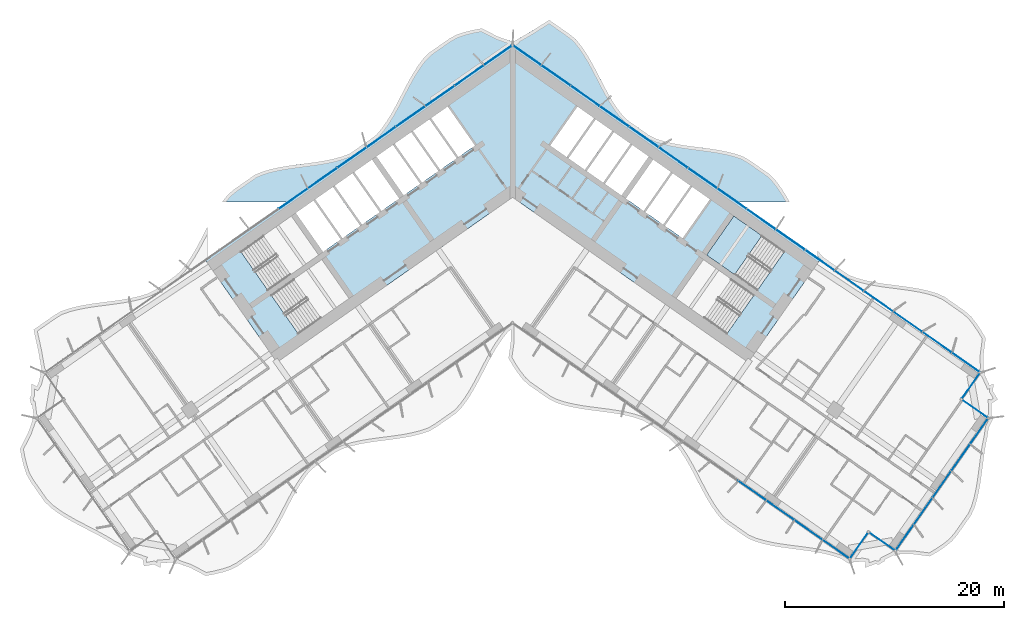
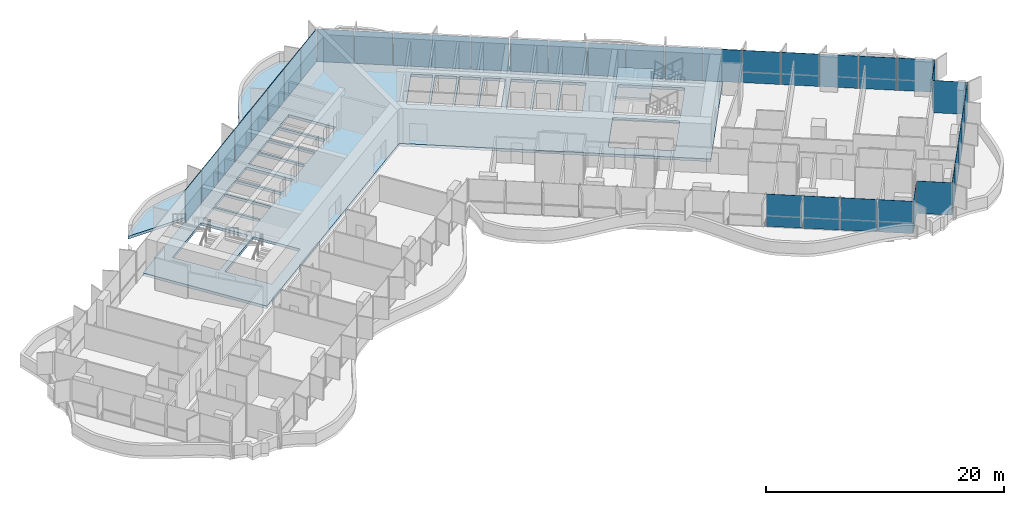
# One storey, part 12 of 24: 37 plates, 3 slabs, 3 elements without a shape of their own.
"""IFC4 building model written with IfcOpenShell, lengths in metres."""

from ifc_helpers import new_model, si_unit, direction, frame, origin, origin_2d, place, context, subcontext, project, spatial, polyline, rectangle, outline, extrude, material, layer, layer_set, type_object, element, aggregate, save


model = new_model("IFC4")

# Units and contexts
model_context = context("Model", 3, precision=1e-05, world=origin(), true_north=direction((0.0, 1.0)))
body_context = subcontext(model_context, "Body", "Model", "MODEL_VIEW")
ifc_project = project(units=[si_unit("LENGTHUNIT", "METRE"), si_unit("AREAUNIT", "SQUARE_METRE"), si_unit("VOLUMEUNIT", "CUBIC_METRE"), si_unit("PLANEANGLEUNIT", "RADIAN"), si_unit("MASSUNIT", "GRAM", prefix="KILO")], contexts=[model_context])

# Site, building, storey
site_placement = place(None, origin())
site = spatial("IfcSite", under=ifc_project, at=site_placement, CompositionType="ELEMENT")
building_placement = place(site_placement, origin())
building = spatial("IfcBuilding", under=site, at=building_placement, Name="Tel Ilan Convention Tower", CompositionType="ELEMENT")
storey_placement = place(building_placement, frame((0.0, 0.0, 68.89990234375)))
storey = spatial("IfcBuildingStorey", under=building, at=storey_placement, Name="L12", CompositionType="ELEMENT", Elevation=68.89990234375)

# Curtain wall, plates
ifc_material_1 = material(Name="Aluminium, bronze anodised", Category="aluminium")
curtain_wall_type_1 = type_object("IfcCurtainWallType", Name="CW1 UNITISED CURTAIN WALL, HOTEL TINTED GLASS", PredefinedType="NOTDEFINED", material=ifc_material_1)
curtain_wall_1_placement = place(storey_placement, origin())
curtain_wall_1 = element("IfcCurtainWall", 1, at=curtain_wall_1_placement, inside=storey, type_object=curtain_wall_type_1, Name="Curtain wall CW1-12.02", PredefinedType="NOTDEFINED")
ifc_material_2 = material(Name="Glass, bronze tinted, two-ply unitised", Category="glass")
ifc_layer_1 = layer(ifc_material_2, 0.028076171875)
ifc_layer_set_1 = layer_set([ifc_layer_1], Name="CW HOTEL GLASS PANEL 28")
plate_type_1 = type_object("IfcPlateType", Name="CW HOTEL GLASS PANEL 28", PredefinedType="CURTAIN_PANEL", material=ifc_layer_set_1)
plate_1_placement = place(storey_placement, frame((21.90185546875, -28.031982421875, 0.0), z_axis=(0.0, 0.0, 1.0), x_axis=(0.819152044289, -0.573576436351, 0.0)))
plate_1 = element("IfcPlate", 2, at=plate_1_placement, type_object=plate_type_1, Name="Glass panel", PredefinedType="CURTAIN_PANEL", context=body_context, shape_type="SweptSolid", body=[
    extrude(rectangle(XDim=3.077392578125, YDim=0.028076171875, at=origin_2d()), origin(), (0.0, 0.0, 1.0), 3.320068359375),
])
plate_2_placement = place(storey_placement, frame((24.4716796875, -29.831298828125, 0.0), z_axis=(0.0, 0.0, 1.0), x_axis=(0.819152044289, -0.573576436351, 0.0)))
plate_2 = element("IfcPlate", 3, at=plate_2_placement, type_object=plate_type_1, Name="Glass panel", PredefinedType="CURTAIN_PANEL", context=body_context, shape_type="SweptSolid", body=[
    extrude(rectangle(XDim=3.077392578125, YDim=0.028076171875, at=origin_2d()), origin(), (0.0, 0.0, 1.0), 3.320068359375),
])
plate_3_placement = place(storey_placement, frame((27.041748046875, -31.630859375, 0.0), z_axis=(0.0, 0.0, 1.0), x_axis=(0.819152044289, -0.573576436351, 0.0)))
plate_3 = element("IfcPlate", 4, at=plate_3_placement, type_object=plate_type_1, Name="Glass panel", PredefinedType="CURTAIN_PANEL", context=body_context, shape_type="SweptSolid", body=[
    extrude(rectangle(XDim=3.077392578125, YDim=0.028076171875, at=origin_2d()), origin(), (0.0, 0.0, 1.0), 3.320068359375),
])
plate_4_placement = place(storey_placement, frame((29.5732421875, -33.4033203125, 0.0), z_axis=(0.0, 0.0, 1.0), x_axis=(0.819152044289, -0.573576436351, 0.0)))
plate_4 = element("IfcPlate", 5, at=plate_4_placement, type_object=plate_type_1, Name="Glass panel", PredefinedType="CURTAIN_PANEL", context=body_context, shape_type="SweptSolid", body=[
    extrude(rectangle(XDim=2.9833984375, YDim=0.028076171875, at=origin_2d()), origin(), (0.0, 0.0, 1.0), 3.320068359375),
])
plate_5_placement = place(storey_placement, frame((31.653076171875, -33.07568359375, 0.0), z_axis=(0.0, 0.0, 1.0), x_axis=(0.573576436351, 0.819152044289, 0.0)))
plate_5 = element("IfcPlate", 6, at=plate_5_placement, type_object=plate_type_1, Name="Glass panel", PredefinedType="CURTAIN_PANEL", context=body_context, shape_type="SweptSolid", body=[
    extrude(rectangle(XDim=2.875, YDim=0.028076171875, at=origin_2d()), origin(), (0.0, 0.0, 1.0), 3.320068359375),
])
plate_6_placement = place(storey_placement, frame((33.795654296875, -32.69775390625, 0.0), z_axis=(0.0, 0.0, 1.0), x_axis=(0.819152044289, -0.573576436351, 0.0)))
plate_6 = element("IfcPlate", 7, at=plate_6_placement, type_object=plate_type_1, Name="Glass panel", PredefinedType="CURTAIN_PANEL", context=body_context, shape_type="SweptSolid", body=[
    extrude(rectangle(XDim=2.875, YDim=0.028076171875, at=origin_2d()), origin(), (0.0, 0.0, 1.0), 3.320068359375),
])
plate_7_placement = place(storey_placement, frame((35.822998046875, -32.350830078125, 0.0), z_axis=(0.0, 0.0, 1.0), x_axis=(0.573576436351, 0.819152044289, 0.0)))
plate_7 = element("IfcPlate", 8, at=plate_7_placement, type_object=plate_type_1, Name="Glass panel", PredefinedType="CURTAIN_PANEL", context=body_context, shape_type="SweptSolid", body=[
    extrude(rectangle(XDim=2.845947265625, YDim=0.028076171875, at=origin_2d()), origin(), (0.0, 0.0, 1.0), 3.320068359375),
])
plate_8_placement = place(storey_placement, frame((37.5166015625, -29.931884765625, 0.0), z_axis=(0.0, 0.0, 1.0), x_axis=(0.573576436351, 0.819152044289, 0.0)))
plate_8 = element("IfcPlate", 9, at=plate_8_placement, type_object=plate_type_1, Name="Glass panel", PredefinedType="CURTAIN_PANEL", context=body_context, shape_type="SweptSolid", body=[
    extrude(rectangle(XDim=2.93994140625, YDim=0.028076171875, at=origin_2d()), origin(), (0.0, 0.0, 1.0), 3.320068359375),
])
plate_9_placement = place(storey_placement, frame((39.2373046875, -27.474365234375, 0.0), z_axis=(0.0, 0.0, 1.0), x_axis=(0.573576436351, 0.819152044289, 0.0)))
plate_9 = element("IfcPlate", 10, at=plate_9_placement, type_object=plate_type_1, Name="Glass panel", PredefinedType="CURTAIN_PANEL", context=body_context, shape_type="SweptSolid", body=[
    extrude(rectangle(XDim=2.93994140625, YDim=0.028076171875, at=origin_2d()), origin(), (0.0, 0.0, 1.0), 3.320068359375),
])
plate_10_placement = place(storey_placement, frame((40.9580078125, -25.016845703125, 0.0), z_axis=(0.0, 0.0, 1.0), x_axis=(0.573576436351, 0.819152044289, 0.0)))
plate_10 = element("IfcPlate", 11, at=plate_10_placement, type_object=plate_type_1, Name="Glass panel", PredefinedType="CURTAIN_PANEL", context=body_context, shape_type="SweptSolid", body=[
    extrude(rectangle(XDim=2.93994140625, YDim=0.028076171875, at=origin_2d()), origin(), (0.0, 0.0, 1.0), 3.320068359375),
])
plate_11_placement = place(storey_placement, frame((42.65185546875, -22.597900390625, 0.0), z_axis=(0.0, 0.0, 1.0), x_axis=(0.573576436351, 0.819152044289, 0.0)))
plate_11 = element("IfcPlate", 12, at=plate_11_placement, type_object=plate_type_1, Name="Glass panel", PredefinedType="CURTAIN_PANEL", context=body_context, shape_type="SweptSolid", body=[
    extrude(rectangle(XDim=2.845947265625, YDim=0.028076171875, at=origin_2d()), origin(), (0.0, 0.0, 1.0), 3.320068359375),
])
plate_12_placement = place(storey_placement, frame((42.28466796875, -20.57421875, 0.0), z_axis=(0.0, 0.0, 1.0), x_axis=(-0.819152044289, 0.573576436351, 0.0)))
plate_12 = element("IfcPlate", 13, at=plate_12_placement, type_object=plate_type_1, Name="Glass panel", PredefinedType="CURTAIN_PANEL", context=body_context, shape_type="SweptSolid", body=[
    extrude(rectangle(XDim=2.875, YDim=0.028076171875, at=origin_2d()), origin(), (0.0, 0.0, 1.0), 3.320068359375),
])
plate_13_placement = place(storey_placement, frame((41.90673828125, -18.431640625, 0.0), z_axis=(0.0, 0.0, 1.0), x_axis=(0.573576436351, 0.819152044289, 0.0)))
plate_13 = element("IfcPlate", 14, at=plate_13_placement, type_object=plate_type_1, Name="Glass panel", PredefinedType="CURTAIN_PANEL", context=body_context, shape_type="SweptSolid", body=[
    extrude(rectangle(XDim=2.875, YDim=0.028076171875, at=origin_2d()), origin(), (0.0, 0.0, 1.0), 3.320068359375),
])
plate_14_placement = place(storey_placement, frame((41.448486328125, -16.326416015625, 0.0), z_axis=(0.0, 0.0, 1.0), x_axis=(-0.819152044289, 0.573576436351, 0.0)))
plate_14 = element("IfcPlate", 15, at=plate_14_placement, type_object=plate_type_1, Name="Glass panel", PredefinedType="CURTAIN_PANEL", context=body_context, shape_type="SweptSolid", body=[
    extrude(rectangle(XDim=3.117919921875, YDim=0.028076171875, at=origin_2d()), origin(), (0.0, 0.0, 1.0), 3.320068359375),
])
plate_15_placement = place(storey_placement, frame((38.806640625, -14.4765625, 0.0), z_axis=(0.0, 0.0, 1.0), x_axis=(-0.819152044289, 0.573576436351, 0.0)))
plate_15 = element("IfcPlate", 16, at=plate_15_placement, type_object=plate_type_1, Name="Glass panel", PredefinedType="CURTAIN_PANEL", context=body_context, shape_type="SweptSolid", body=[
    extrude(rectangle(XDim=3.2119140625, YDim=0.028076171875, at=origin_2d()), origin(), (0.0, 0.0, 1.0), 3.320068359375),
])
plate_16_placement = place(storey_placement, frame((36.12646484375, -12.599853515625, 0.0), z_axis=(0.0, 0.0, 1.0), x_axis=(-0.819152044289, 0.573576436351, 0.0)))
plate_16 = element("IfcPlate", 17, at=plate_16_placement, type_object=plate_type_1, Name="Glass panel", PredefinedType="CURTAIN_PANEL", context=body_context, shape_type="SweptSolid", body=[
    extrude(rectangle(XDim=3.2119140625, YDim=0.028076171875, at=origin_2d()), origin(), (0.0, 0.0, 1.0), 3.320068359375),
])
plate_17_placement = place(storey_placement, frame((33.446044921875, -10.72314453125, 0.0), z_axis=(0.0, 0.0, 1.0), x_axis=(-0.819152044289, 0.573576436351, 0.0)))
plate_17 = element("IfcPlate", 18, at=plate_17_placement, type_object=plate_type_1, Name="Glass panel", PredefinedType="CURTAIN_PANEL", context=body_context, shape_type="SweptSolid", body=[
    extrude(rectangle(XDim=3.2119140625, YDim=0.028076171875, at=origin_2d()), origin(), (0.0, 0.0, 1.0), 3.320068359375),
])
plate_18_placement = place(storey_placement, frame((30.765869140625, -8.846435546875, 0.0), z_axis=(0.0, 0.0, 1.0), x_axis=(-0.819152044289, 0.573576436351, 0.0)))
plate_18 = element("IfcPlate", 19, at=plate_18_placement, type_object=plate_type_1, Name="Glass panel", PredefinedType="CURTAIN_PANEL", context=body_context, shape_type="SweptSolid", body=[
    extrude(rectangle(XDim=3.2119140625, YDim=0.028076171875, at=origin_2d()), origin(), (0.0, 0.0, 1.0), 3.320068359375),
])
aggregate(curtain_wall_1, [plate_1, plate_2, plate_3, plate_4, plate_5, plate_6, plate_7, plate_8, plate_9, plate_10, plate_11, plate_12, plate_13, plate_14, plate_15, plate_16, plate_17, plate_18])

ifc_material_3 = material(Name="Aluminium, bronze anodised", Category="aluminium")
curtain_wall_type_2 = type_object("IfcCurtainWallType", Name="CW2 STICK CURTAIN WALL, SPANDREL PANELS", PredefinedType="NOTDEFINED", material=ifc_material_3)
curtain_wall_2_placement = place(storey_placement, origin())
curtain_wall_2 = element("IfcCurtainWall", 20, at=curtain_wall_2_placement, inside=storey, type_object=curtain_wall_type_2, Name="Curtain wall CW2-12.01", PredefinedType="NOTDEFINED")
ifc_material_4 = material(Name="Aluminium composite panel, bronze anodised", Category="aluminium")
ifc_layer_2 = layer(ifc_material_4, 0.06005859375)
ifc_layer_set_2 = layer_set([ifc_layer_2], Name="CW SPANDREL PANEL 60")
plate_type_2 = type_object("IfcPlateType", Name="CW SPANDREL PANEL 60", PredefinedType="CURTAIN_PANEL", material=ifc_layer_set_2)
plate_19_placement = place(storey_placement, frame((28.08544921875, -6.9697265625, 0.0), z_axis=(0.0, 0.0, 1.0), x_axis=(-0.819152044289, 0.573576436351, 0.0)))
plate_19 = element("IfcPlate", 21, at=plate_19_placement, type_object=plate_type_2, Name="Spandrel panel", PredefinedType="CURTAIN_PANEL", context=body_context, shape_type="SweptSolid", body=[
    extrude(rectangle(XDim=3.2119140625, YDim=0.06005859375, at=origin_2d()), origin(), (0.0, 0.0, 1.0), 3.320068359375),
])
plate_20_placement = place(storey_placement, frame((25.4052734375, -5.0927734375, 0.0), z_axis=(0.0, 0.0, 1.0), x_axis=(-0.819152044289, 0.573576436351, 0.0)))
plate_20 = element("IfcPlate", 22, at=plate_20_placement, type_object=plate_type_2, Name="Spandrel panel", PredefinedType="CURTAIN_PANEL", context=body_context, shape_type="SweptSolid", body=[
    extrude(rectangle(XDim=3.2119140625, YDim=0.06005859375, at=origin_2d()), origin(), (0.0, 0.0, 1.0), 3.320068359375),
])
plate_21_placement = place(storey_placement, frame((22.72509765625, -3.216064453125, 0.0), z_axis=(0.0, 0.0, 1.0), x_axis=(-0.819152044289, 0.573576436351, 0.0)))
plate_21 = element("IfcPlate", 23, at=plate_21_placement, type_object=plate_type_2, Name="Spandrel panel", PredefinedType="CURTAIN_PANEL", context=body_context, shape_type="SweptSolid", body=[
    extrude(rectangle(XDim=3.2119140625, YDim=0.06005859375, at=origin_2d()), origin(), (0.0, 0.0, 1.0), 3.320068359375),
])
plate_22_placement = place(storey_placement, frame((20.044677734375, -1.33935546875, 0.0), z_axis=(0.0, 0.0, 1.0), x_axis=(-0.819152044289, 0.573576436351, 0.0)))
plate_22 = element("IfcPlate", 24, at=plate_22_placement, type_object=plate_type_2, Name="Spandrel panel", PredefinedType="CURTAIN_PANEL", context=body_context, shape_type="SweptSolid", body=[
    extrude(rectangle(XDim=3.2119140625, YDim=0.06005859375, at=origin_2d()), origin(), (0.0, 0.0, 1.0), 3.320068359375),
])
plate_23_placement = place(storey_placement, frame((17.364501953125, 0.537353515625, 0.0), z_axis=(0.0, 0.0, 1.0), x_axis=(-0.819152044289, 0.573576436351, 0.0)))
plate_23 = element("IfcPlate", 25, at=plate_23_placement, type_object=plate_type_2, Name="Spandrel panel", PredefinedType="CURTAIN_PANEL", context=body_context, shape_type="SweptSolid", body=[
    extrude(rectangle(XDim=3.2119140625, YDim=0.06005859375, at=origin_2d()), origin(), (0.0, 0.0, 1.0), 3.320068359375),
])
plate_24_placement = place(storey_placement, frame((14.68408203125, 2.4140625, 0.0), z_axis=(0.0, 0.0, 1.0), x_axis=(-0.819152044289, 0.573576436351, 0.0)))
plate_24 = element("IfcPlate", 26, at=plate_24_placement, type_object=plate_type_2, Name="Spandrel panel", PredefinedType="CURTAIN_PANEL", context=body_context, shape_type="SweptSolid", body=[
    extrude(rectangle(XDim=3.2119140625, YDim=0.06005859375, at=origin_2d()), origin(), (0.0, 0.0, 1.0), 3.320068359375),
])
plate_25_placement = place(storey_placement, frame((12.00390625, 4.290771484375, 0.0), z_axis=(0.0, 0.0, 1.0), x_axis=(-0.819152044289, 0.573576436351, 0.0)))
plate_25 = element("IfcPlate", 27, at=plate_25_placement, type_object=plate_type_2, Name="Spandrel panel", PredefinedType="CURTAIN_PANEL", context=body_context, shape_type="SweptSolid", body=[
    extrude(rectangle(XDim=3.2119140625, YDim=0.06005859375, at=origin_2d()), origin(), (0.0, 0.0, 1.0), 3.320068359375),
])
plate_26_placement = place(storey_placement, frame((9.323486328125, 6.16748046875, 0.0), z_axis=(0.0, 0.0, 1.0), x_axis=(-0.819152044289, 0.573576436351, 0.0)))
plate_26 = element("IfcPlate", 28, at=plate_26_placement, type_object=plate_type_2, Name="Spandrel panel", PredefinedType="CURTAIN_PANEL", context=body_context, shape_type="SweptSolid", body=[
    extrude(rectangle(XDim=3.2119140625, YDim=0.06005859375, at=origin_2d()), origin(), (0.0, 0.0, 1.0), 3.320068359375),
])
plate_27_placement = place(storey_placement, frame((6.643310546875, 8.04443359375, 0.0), z_axis=(0.0, 0.0, 1.0), x_axis=(-0.819152044289, 0.573576436351, 0.0)))
plate_27 = element("IfcPlate", 29, at=plate_27_placement, type_object=plate_type_2, Name="Spandrel panel", PredefinedType="CURTAIN_PANEL", context=body_context, shape_type="SweptSolid", body=[
    extrude(rectangle(XDim=3.2119140625, YDim=0.06005859375, at=origin_2d()), origin(), (0.0, 0.0, 1.0), 3.320068359375),
])
plate_28_placement = place(storey_placement, frame((3.963134765625, 9.921142578125, 0.0), z_axis=(0.0, 0.0, 1.0), x_axis=(-0.819152044289, 0.573576436351, 0.0)))
plate_28 = element("IfcPlate", 30, at=plate_28_placement, type_object=plate_type_2, Name="Spandrel panel", PredefinedType="CURTAIN_PANEL", context=body_context, shape_type="SweptSolid", body=[
    extrude(rectangle(XDim=3.2119140625, YDim=0.06005859375, at=origin_2d()), origin(), (0.0, 0.0, 1.0), 3.320068359375),
])
plate_29_placement = place(storey_placement, frame((1.327880859375, 11.766357421875, 0.0), z_axis=(0.0, 0.0, 1.0), x_axis=(-0.819152044289, 0.573576436351, 0.0)))
plate_29 = element("IfcPlate", 31, at=plate_29_placement, type_object=plate_type_2, Name="Spandrel panel", PredefinedType="CURTAIN_PANEL", context=body_context, shape_type="SweptSolid", body=[
    extrude(rectangle(XDim=3.10205078125, YDim=0.06005859375, at=origin_2d()), origin(), (0.0, 0.0, 1.0), 3.320068359375),
])
plate_30_placement = place(storey_placement, frame((-1.327880859375, 11.766357421875, 0.0), z_axis=(0.0, 0.0, 1.0), x_axis=(-0.819152044289, -0.573576436351, 0.0)))
plate_30 = element("IfcPlate", 32, at=plate_30_placement, type_object=plate_type_2, Name="Spandrel panel", PredefinedType="CURTAIN_PANEL", context=body_context, shape_type="SweptSolid", body=[
    extrude(rectangle(XDim=3.10205078125, YDim=0.06005859375, at=origin_2d()), origin(), (0.0, 0.0, 1.0), 3.320068359375),
])
plate_31_placement = place(storey_placement, frame((-3.963134765625, 9.921142578125, 0.0), z_axis=(0.0, 0.0, 1.0), x_axis=(-0.819152044289, -0.573576436351, 0.0)))
plate_31 = element("IfcPlate", 33, at=plate_31_placement, type_object=plate_type_2, Name="Spandrel panel", PredefinedType="CURTAIN_PANEL", context=body_context, shape_type="SweptSolid", body=[
    extrude(rectangle(XDim=3.2119140625, YDim=0.06005859375, at=origin_2d()), origin(), (0.0, 0.0, 1.0), 3.320068359375),
])
plate_32_placement = place(storey_placement, frame((-6.643310546875, 8.04443359375, 0.0), z_axis=(0.0, 0.0, 1.0), x_axis=(-0.819152044289, -0.573576436351, 0.0)))
plate_32 = element("IfcPlate", 34, at=plate_32_placement, type_object=plate_type_2, Name="Spandrel panel", PredefinedType="CURTAIN_PANEL", context=body_context, shape_type="SweptSolid", body=[
    extrude(rectangle(XDim=3.2119140625, YDim=0.06005859375, at=origin_2d()), origin(), (0.0, 0.0, 1.0), 3.320068359375),
])
plate_33_placement = place(storey_placement, frame((-9.323486328125, 6.16748046875, 0.0), z_axis=(0.0, 0.0, 1.0), x_axis=(-0.819152044289, -0.573576436351, 0.0)))
plate_33 = element("IfcPlate", 35, at=plate_33_placement, type_object=plate_type_2, Name="Spandrel panel", PredefinedType="CURTAIN_PANEL", context=body_context, shape_type="SweptSolid", body=[
    extrude(rectangle(XDim=3.2119140625, YDim=0.06005859375, at=origin_2d()), origin(), (0.0, 0.0, 1.0), 3.320068359375),
])
plate_34_placement = place(storey_placement, frame((-12.00390625, 4.290771484375, 0.0), z_axis=(0.0, 0.0, 1.0), x_axis=(-0.819152044289, -0.573576436351, 0.0)))
plate_34 = element("IfcPlate", 36, at=plate_34_placement, type_object=plate_type_2, Name="Spandrel panel", PredefinedType="CURTAIN_PANEL", context=body_context, shape_type="SweptSolid", body=[
    extrude(rectangle(XDim=3.2119140625, YDim=0.06005859375, at=origin_2d()), origin(), (0.0, 0.0, 1.0), 3.320068359375),
])
plate_35_placement = place(storey_placement, frame((-14.68408203125, 2.4140625, 0.0), z_axis=(0.0, 0.0, 1.0), x_axis=(-0.819152044289, -0.573576436351, 0.0)))
plate_35 = element("IfcPlate", 37, at=plate_35_placement, type_object=plate_type_2, Name="Spandrel panel", PredefinedType="CURTAIN_PANEL", context=body_context, shape_type="SweptSolid", body=[
    extrude(rectangle(XDim=3.2119140625, YDim=0.06005859375, at=origin_2d()), origin(), (0.0, 0.0, 1.0), 3.320068359375),
])
plate_36_placement = place(storey_placement, frame((-17.364501953125, 0.537353515625, 0.0), z_axis=(0.0, 0.0, 1.0), x_axis=(-0.819152044289, -0.573576436351, 0.0)))
plate_36 = element("IfcPlate", 38, at=plate_36_placement, type_object=plate_type_2, Name="Spandrel panel", PredefinedType="CURTAIN_PANEL", context=body_context, shape_type="SweptSolid", body=[
    extrude(rectangle(XDim=3.2119140625, YDim=0.06005859375, at=origin_2d()), origin(), (0.0, 0.0, 1.0), 3.320068359375),
])
plate_37_placement = place(storey_placement, frame((-20.044677734375, -1.33935546875, 0.0), z_axis=(0.0, 0.0, 1.0), x_axis=(-0.819152044289, -0.573576436351, 0.0)))
plate_37 = element("IfcPlate", 39, at=plate_37_placement, type_object=plate_type_2, Name="Spandrel panel", PredefinedType="CURTAIN_PANEL", context=body_context, shape_type="SweptSolid", body=[
    extrude(rectangle(XDim=3.2119140625, YDim=0.06005859375, at=origin_2d()), origin(), (0.0, 0.0, 1.0), 3.320068359375),
])
aggregate(curtain_wall_2, [plate_19, plate_20, plate_21, plate_22, plate_23, plate_24, plate_25, plate_26, plate_27, plate_28, plate_29, plate_30, plate_31, plate_32, plate_33, plate_34, plate_35, plate_36, plate_37])

# Stair, slab
ifc_material_5 = material(Name="Concrete C40/50", Category="concrete")
stair_type = type_object("IfcStairType", Name="Pressurised Exit Stair 20 risers 180 mm", PredefinedType="HALF_TURN_STAIR", material=ifc_material_5)
stair_placement = place(storey_placement, origin())
stair = element("IfcStair", 40, at=stair_placement, inside=storey, type_object=stair_type, Name="L12 Pressurised Stair S3", PredefinedType="HALF_TURN_STAIR")
ifc_material_6 = material(Name="Concrete C40/50", Category="concrete")
ifc_layer_3 = layer(ifc_material_6, 0.199951171875)
ifc_layer_set_3 = layer_set([ifc_layer_3], Name="Concrete Stair Landing 200 mm C40/50")
slab_type_1 = type_object("IfcSlabType", Name="Concrete Stair Landing 200 mm", PredefinedType="LANDING", material=ifc_layer_set_3)
slab_1_placement = place(storey_placement, frame((0.0, 0.0, 1.60009765625)))
slab_1 = element("IfcSlab", 41, at=slab_1_placement, type_object=slab_type_1, Name="S3 landing 1", PredefinedType="LANDING", context=body_context, shape_type="SweptSolid", body=[
    extrude(outline(polyline([(22.791015625, -4.727294921875), (20.226318359375, -2.931640625), (17.7314453125, -6.494873046875), (20.2958984375, -8.29052734375), (22.791015625, -4.727294921875)])), origin(), (0.0, 0.0, 1.0), 0.199951171875),
])
aggregate(stair, [slab_1])

# Slabs
ifc_material_7 = material(Name="Concrete C40/50", Category="concrete")
ifc_layer_4 = layer(ifc_material_7, 0.280029296875)
ifc_layer_set_4 = layer_set([ifc_layer_4], Name="Core Floor Slab 280 mm C40/50")
slab_type_2 = type_object("IfcSlabType", Name="Core Floor Slab 280 mm C40/50", PredefinedType="FLOOR", material=ifc_layer_set_4)
slab_2_placement = place(storey_placement, frame((0.0, 0.0, -0.27978515625)))
element("IfcSlab", 42, at=slab_2_placement, inside=storey, type_object=slab_type_2, Name="L12 core floor 1", PredefinedType="FLOOR", context=body_context, shape_type="SweptSolid", body=[
    extrude(outline(polyline([(-0.2412109375, 12.6494140625), (-1.02099609375, 12.103271484375), (0.0, 12.818115234375), (28.1396484375, -6.885498046875), (21.54345703125, -16.3056640625), (0.0, -1.220703125), (-21.54345703125, -16.3056640625), (-28.1396484375, -6.885498046875), (-1.304931640625, 11.904296875), (-0.2412109375, 12.6494140625), (-6.190673828125, 8.4833984375), (-0.2412109375, 12.6494140625)]), holes=[polyline([(-14.949462890625, -10.4677734375), (-17.444580078125, -6.904541015625), (-22.072021484375, -10.144775390625), (-19.5771484375, -13.7080078125), (-14.949462890625, -10.4677734375)]), polyline([(-17.7314453125, -6.494873046875), (-20.226318359375, -2.931640625), (-24.85400390625, -6.171875), (-22.35888671875, -9.735107421875), (-17.7314453125, -6.494873046875)]), polyline([(-18.198974609375, -1.511962890625), (-19.81689453125, -2.644775390625), (-17.32177734375, -6.2080078125), (-15.7041015625, -5.0751953125), (-18.198974609375, -1.511962890625)]), polyline([(-16.41748046875, -0.264404296875), (-18.03515625, -1.397216796875), (-15.5400390625, -4.960693359375), (-13.92236328125, -3.827880859375), (-16.41748046875, -0.264404296875)]), polyline([(-14.6357421875, 0.983154296875), (-16.25341796875, -0.149658203125), (-13.758544921875, -3.712890625), (-12.140625, -2.580078125), (-14.6357421875, 0.983154296875)]), polyline([(-12.85400390625, 2.230712890625), (-14.471923828125, 1.097900390625), (-11.976806640625, -2.465576171875), (-10.35888671875, -1.332763671875), (-12.85400390625, 2.230712890625)]), polyline([(-10.939208984375, 3.5712890625), (-12.444580078125, 2.517333984375), (-9.949462890625, -1.0458984375), (-8.444091796875, 0.008056640625), (-10.939208984375, 3.5712890625)]), polyline([(-6.775146484375, 1.1767578125), (-9.270263671875, 4.739990234375), (-10.775390625, 3.68603515625), (-8.280517578125, 0.122802734375), (-6.775146484375, 1.1767578125)]), polyline([(-5.106201171875, 2.345458984375), (-7.601318359375, 5.90869140625), (-9.1064453125, 4.854736328125), (-6.611328125, 1.29150390625), (-5.106201171875, 2.345458984375)]), polyline([(-5.93212890625, 7.077392578125), (-7.4375, 6.0234375), (-4.9423828125, 2.460205078125), (-3.437255859375, 3.513916015625), (-5.93212890625, 7.077392578125)]), polyline([(17.444580078125, -6.904541015625), (14.949462890625, -10.4677734375), (19.5771484375, -13.7080078125), (22.072021484375, -10.144775390625), (17.444580078125, -6.904541015625)]), polyline([(20.226318359375, -2.931640625), (17.7314453125, -6.494873046875), (22.35888671875, -9.735107421875), (24.85400390625, -6.171875), (20.226318359375, -2.931640625)]), polyline([(13.92236328125, -3.827880859375), (15.5400390625, -4.960693359375), (18.03515625, -1.397216796875), (16.41748046875, -0.264404296875), (13.92236328125, -3.827880859375)]), polyline([(12.140625, -2.580078125), (13.758544921875, -3.712890625), (16.25341796875, -0.149658203125), (14.6357421875, 0.983154296875), (12.140625, -2.580078125)]), polyline([(11.976806640625, -2.465576171875), (14.471923828125, 1.097900390625), (12.85400390625, 2.230712890625), (10.35888671875, -1.332763671875), (11.976806640625, -2.465576171875)]), polyline([(9.949462890625, -1.0458984375), (12.444580078125, 2.517333984375), (10.939208984375, 3.5712890625), (8.444091796875, 0.008056640625), (9.949462890625, -1.0458984375)]), polyline([(8.280517578125, 0.122802734375), (10.775390625, 3.68603515625), (9.270263671875, 4.739990234375), (6.775146484375, 1.1767578125), (8.280517578125, 0.122802734375)]), polyline([(5.106201171875, 2.345458984375), (6.611328125, 1.29150390625), (9.1064453125, 4.854736328125), (7.601318359375, 5.90869140625), (5.106201171875, 2.345458984375)]), polyline([(3.437255859375, 3.513916015625), (4.9423828125, 2.460205078125), (7.4375, 6.0234375), (5.93212890625, 7.077392578125), (3.437255859375, 3.513916015625)])]), origin(), (0.0, 0.0, 1.0), 0.27978515625),
])
ifc_material_8 = material(Name="Concrete C40/50", Category="concrete")
ifc_layer_5 = layer(ifc_material_8, 0.280029296875)
ifc_layer_set_5 = layer_set([ifc_layer_5], Name="Edge Ledge Slab 280 mm C40/50")
slab_type_3 = type_object("IfcSlabType", Name="Edge Ledge Slab 280 mm C40/50", PredefinedType="FLOOR", material=ifc_layer_set_5)
slab_3_placement = place(storey_placement, frame((0.0, 0.0, -0.27978515625)))
element("IfcSlab", 43, at=slab_3_placement, inside=storey, type_object=slab_type_3, Name="L12 edge ledge 2", PredefinedType="FLOOR", context=body_context, shape_type="SweptSolid", body=[
    extrude(outline(polyline([(-23.564453125, 0.8349609375), (-22.857421875, 1.129150390625), (-22.099365234375, 1.350341796875), (-21.307861328125, 1.52392578125), (-20.490966796875, 1.661376953125), (-19.658203125, 1.77587890625), (-18.8193359375, 1.881591796875), (-17.98486328125, 1.993896484375), (-17.16455078125, 2.12646484375), (-16.368408203125, 2.29296875), (-15.60400390625, 2.50537109375), (-14.87890625, 2.773681640625), (-14.2626953125, 3.197509765625), (-13.037353515625, 4.055419921875), (-12.43994140625, 4.506103515625), (-11.945068359375, 5.103271484375), (-11.48828125, 5.755126953125), (-11.06298828125, 6.451416015625), (-10.66015625, 7.179931640625), (-10.2705078125, 7.927490234375), (-9.8837890625, 8.67919921875), (-9.489990234375, 9.42041015625), (-9.078857421875, 10.13720703125), (-8.641357421875, 10.81640625), (-8.169677734375, 11.446533203125), (-7.635986328125, 11.98828125), (-5.798095703125, 13.275146484375), (-5.14013671875, 13.639404296875), (-4.39794921875, 13.88330078125), (-3.619384765625, 14.075439453125), (-2.81201171875, 14.226318359375), (-1.382080078125, 13.48828125), (-0.172119140625, 13.06396484375), (-0.168701171875, 13.05908203125), (-0.11474609375, 13.09521484375), (0.0, 13.1181640625), (0.11474609375, 13.09521484375), (0.168701171875, 13.05908203125), (0.172119140625, 13.06396484375), (1.705810546875, 13.95068359375), (3.347412109375, 14.990966796875), (3.960205078125, 14.56201171875), (5.185302734375, 13.7041015625), (5.7705078125, 13.23583984375), (6.26025390625, 12.63134765625), (6.712646484375, 11.9736328125), (7.134765625, 11.272705078125), (7.535400390625, 10.540771484375), (7.924072265625, 9.7919921875), (8.31103515625, 9.040771484375), (8.70654296875, 8.3017578125), (9.12060546875, 7.589111328125), (9.56201171875, 6.915283203125), (10.038330078125, 6.2919921875), (10.5869140625, 5.771484375), (12.4248046875, 4.484619140625), (13.0966796875, 4.139892578125), (13.843505859375, 3.903076171875), (14.626220703125, 3.716796875), (15.4365234375, 3.570068359375), (16.265625, 3.4501953125), (17.103759765625, 3.343505859375), (17.940673828125, 3.234619140625), (18.76611328125, 3.109619140625), (19.5703125, 2.9541015625), (20.344482421875, 2.756103515625), (21.081787109375, 2.505126953125), (21.7265625, 2.121826171875), (23.564453125, 0.8349609375), (24.082763671875, 0.271240234375), (24.5498046875, -0.365478515625), (24.983642578125, -1.0498046875), (25.313232421875, -1.631591796875), (20.63623046875, -1.631591796875), (0.0, 12.818115234375), (-0.23974609375, 12.650146484375), (-1.244384765625, 11.94677734375), (-20.63623046875, -1.631591796875), (-26.5380859375, -1.631591796875), (-26.470947265625, -1.533447265625), (-25.98291015625, -0.9267578125), (-25.40234375, -0.451904296875), (-23.564453125, 0.8349609375)])), origin(), (0.0, 0.0, 1.0), 0.27978515625),
])

save(model, "model.ifc")
